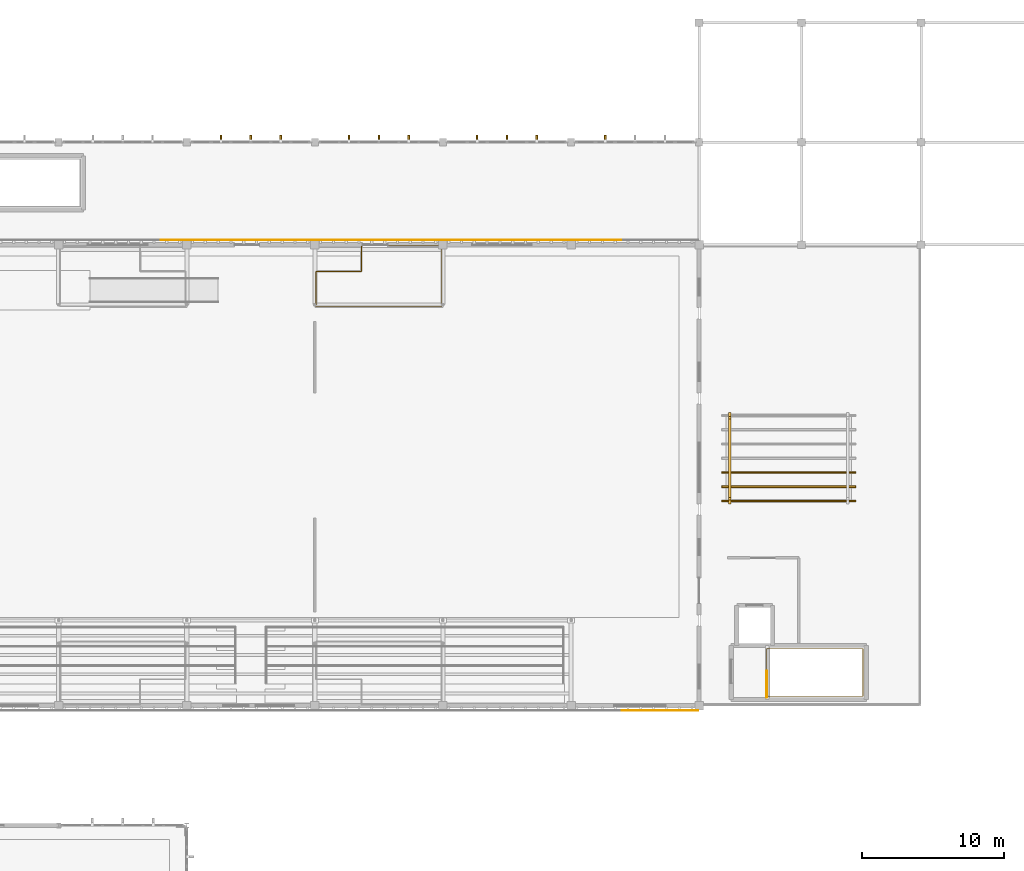
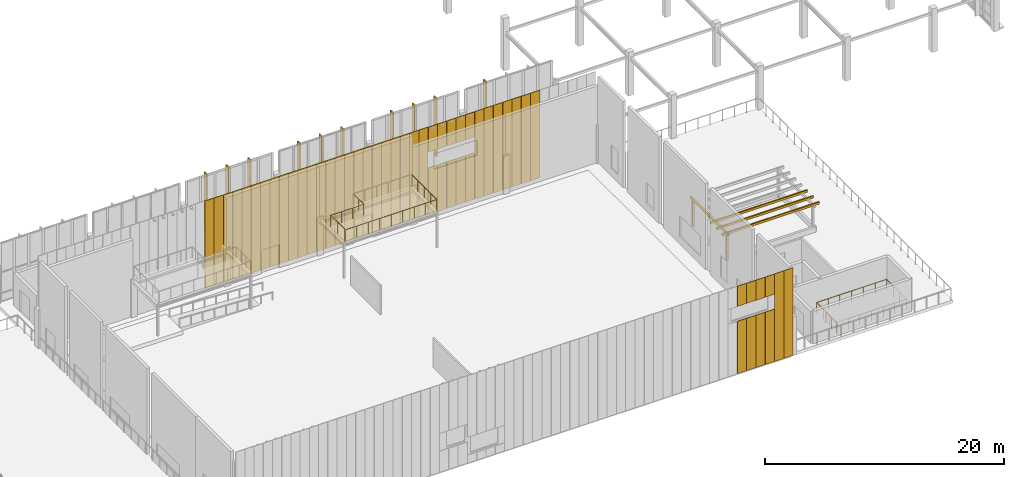
# One storey, part 65 of 67: 67 coverings, 3 railings.
"""IFC4 building model written with IfcOpenShell, lengths in metres."""

from ifc_helpers import new_model, si_unit, direction, frame, origin, origin_2d, place, context, subcontext, project, spatial, rectangle, circle, extrude, material, layer, layer_set, type_object, element, save


model = new_model("IFC4")

# Units and contexts
model_context = context("Model", 3, precision=1e-05, world=origin(), true_north=direction((0.0, 1.0)))
body_context = subcontext(model_context, "Body", "Model", "MODEL_VIEW")
ifc_project = project(units=[si_unit("LENGTHUNIT", "METRE"), si_unit("AREAUNIT", "SQUARE_METRE"), si_unit("VOLUMEUNIT", "CUBIC_METRE"), si_unit("PLANEANGLEUNIT", "RADIAN"), si_unit("MASSUNIT", "GRAM", prefix="KILO")], contexts=[model_context])

# Site, building, storey
site_placement = place(None, origin())
site = spatial("IfcSite", under=ifc_project, at=site_placement, CompositionType="ELEMENT")
building_placement = place(site_placement, origin())
building = spatial("IfcBuilding", under=site, at=building_placement, Name="Tizgana Railside Sports Hall", CompositionType="ELEMENT")
storey_placement = place(building_placement, frame((0.0, 0.0, 12.0)))
storey = spatial("IfcBuildingStorey", under=building, at=storey_placement, Name="L02", CompositionType="ELEMENT", Elevation=12.0)

# Coverings
ifc_material_1 = material(Name="Glulam GL28h", Category="wood")
ifc_layer_1 = layer(ifc_material_1, 0.139892578125, Name="Glulam GL28h")
ifc_layer_set_1 = layer_set([ifc_layer_1], Name="Glulam GL28h")
covering_type_1 = type_object("IfcCoveringType", Name="Mass-Timber Brise-Soleil & Pergola Fin", PredefinedType="CLADDING", material=ifc_layer_set_1)
for number, where, z_axis, x_axis, name in (
    (1, (135.949951171875, 55.35009765625, -0.02001953125), (0.0, 0.0, 1.0), (1.0, 0.0, 0.0), "L02 East Terrace Pergola Post"),
    (2, (135.949951171875, 61.050048828125, -0.02001953125), (0.0, 0.0, 1.0), (1.0, 0.0, 0.0), "L02 East Terrace Pergola Post"),
):
    element("IfcCovering", number, at=place(storey_placement, frame(where, z_axis=z_axis, x_axis=x_axis)), inside=storey, type_object=covering_type_1, Name=name, PredefinedType="CLADDING", context=body_context, shape_type="SweptSolid", body=[
        extrude(rectangle(XDim=0.179931640625, YDim=0.179931640625, at=origin_2d()), origin(), (0.0, 0.0, 1.0), 2.669921875),
    ])
covering_1_placement = place(storey_placement, frame((135.949951171875, 58.199951171875, 2.6298828125), z_axis=(0.0, 0.0, 1.0), x_axis=(1.0, 0.0, 0.0)))
element("IfcCovering", 3, at=covering_1_placement, inside=storey, type_object=covering_type_1, Name="L02 East Terrace Pergola Beam", PredefinedType="CLADDING", context=body_context, shape_type="SweptSolid", body=[
    extrude(rectangle(XDim=0.159912109375, YDim=6.39990234375, at=origin_2d()), origin(), (0.0, 0.0, 1.0), 0.219970703125),
])
for number, where, z_axis, x_axis, name in (
    (4, (140.10009765625, 55.199951171875, 2.72021484375), (0.0, 0.0, 1.0), (1.0, 0.0, 0.0), "L02 East Terrace Pergola Rafter"),
    (5, (140.10009765625, 56.199951171875, 2.72021484375), (0.0, 0.0, 1.0), (1.0, 0.0, 0.0), "L02 East Terrace Pergola Rafter"),
    (6, (140.10009765625, 57.199951171875, 2.72021484375), (0.0, 0.0, 1.0), (1.0, 0.0, 0.0), "L02 East Terrace Pergola Rafter"),
):
    element("IfcCovering", number, at=place(storey_placement, frame(where, z_axis=z_axis, x_axis=x_axis)), inside=storey, type_object=covering_type_1, Name=name, PredefinedType="CLADDING", context=body_context, shape_type="SweptSolid", body=[
        extrude(rectangle(XDim=9.39990234375, YDim=0.1201171875, at=origin_2d()), origin(), (0.0, 0.0, 1.0), 0.219970703125),
    ])
for number, where, z_axis, x_axis, name in (
    (7, (100.202392578125, 80.679931640625, 0.0400390625), (0.0, 0.0, 1.0), (1.0, 0.0, 0.0), "L02 Timber Brise-Soleil Fin"),
    (8, (102.300048828125, 80.679931640625, 0.0400390625), (0.0, 0.0, 1.0), (1.0, 0.0, 0.0), "L02 Timber Brise-Soleil Fin"),
    (9, (104.3974609375, 80.679931640625, 0.0400390625), (0.0, 0.0, 1.0), (1.0, 0.0, 0.0), "L02 Timber Brise-Soleil Fin"),
    (10, (109.202392578125, 80.679931640625, 0.0400390625), (0.0, 0.0, 1.0), (1.0, 0.0, 0.0), "L02 Timber Brise-Soleil Fin"),
    (11, (111.300048828125, 80.679931640625, 0.0400390625), (0.0, 0.0, 1.0), (1.0, 0.0, 0.0), "L02 Timber Brise-Soleil Fin"),
    (12, (113.3974609375, 80.679931640625, 0.0400390625), (0.0, 0.0, 1.0), (1.0, 0.0, 0.0), "L02 Timber Brise-Soleil Fin"),
    (13, (118.202392578125, 80.679931640625, 0.0400390625), (0.0, 0.0, 1.0), (1.0, 0.0, 0.0), "L02 Timber Brise-Soleil Fin"),
    (14, (120.300048828125, 80.679931640625, 0.0400390625), (0.0, 0.0, 1.0), (1.0, 0.0, 0.0), "L02 Timber Brise-Soleil Fin"),
    (15, (122.3974609375, 80.679931640625, 0.0400390625), (0.0, 0.0, 1.0), (1.0, 0.0, 0.0), "L02 Timber Brise-Soleil Fin"),
    (16, (127.202392578125, 80.679931640625, 0.0400390625), (0.0, 0.0, 1.0), (1.0, 0.0, 0.0), "L02 Timber Brise-Soleil Fin"),
):
    element("IfcCovering", number, at=place(storey_placement, frame(where, z_axis=z_axis, x_axis=x_axis)), inside=storey, type_object=covering_type_1, Name=name, PredefinedType="CLADDING", context=body_context, shape_type="SweptSolid", body=[
        extrude(rectangle(XDim=0.1201171875, YDim=0.43994140625, at=origin_2d()), origin(), (0.0, 0.0, 1.0), 5.97998046875),
    ])
ifc_material_2 = material(Name="Anodised perforated aluminium screen", Category="aluminium")
ifc_layer_2 = layer(ifc_material_2, 0.044921875, Name="Anodised perforated aluminium screen")
ifc_layer_set_2 = layer_set([ifc_layer_2], Name="Anodised perforated aluminium screen")
covering_type_2 = type_object("IfcCoveringType", Name="Perforated Aluminium Hall Screen 900", PredefinedType="CLADDING", material=ifc_layer_set_2)
for number, where, z_axis, x_axis, name in (
    (17, (96.40087890625, 73.534912109375, 0.02001953125), (0.0, 0.0, 1.0), (1.0, 0.0, 0.0), "L02 Perforated Screen SCR-0277"),
    (18, (97.30029296875, 73.534912109375, 0.02001953125), (0.0, 0.0, 1.0), (1.0, 0.0, 0.0), "L02 Perforated Screen SCR-0278"),
    (19, (98.20458984375, 73.534912109375, 0.02001953125), (0.0, 0.0, 1.0), (1.0, 0.0, 0.0), "L02 Perforated Screen SCR-0306"),
    (20, (99.104248046875, 73.534912109375, 0.02001953125), (0.0, 0.0, 1.0), (1.0, 0.0, 0.0), "L02 Perforated Screen SCR-0307"),
    (21, (100.003662109375, 73.534912109375, 0.02001953125), (0.0, 0.0, 1.0), (1.0, 0.0, 0.0), "L02 Perforated Screen SCR-0308"),
    (22, (100.9033203125, 73.534912109375, 0.02001953125), (0.0, 0.0, 1.0), (1.0, 0.0, 0.0), "L02 Perforated Screen SCR-0309"),
    (23, (101.802734375, 73.534912109375, 0.02001953125), (0.0, 0.0, 1.0), (1.0, 0.0, 0.0), "L02 Perforated Screen SCR-0310"),
    (24, (102.7021484375, 73.534912109375, 0.02001953125), (0.0, 0.0, 1.0), (1.0, 0.0, 0.0), "L02 Perforated Screen SCR-0311"),
    (25, (103.601806640625, 73.534912109375, 0.02001953125), (0.0, 0.0, 1.0), (1.0, 0.0, 0.0), "L02 Perforated Screen SCR-0312"),
    (26, (104.501220703125, 73.534912109375, 0.02001953125), (0.0, 0.0, 1.0), (1.0, 0.0, 0.0), "L02 Perforated Screen SCR-0313"),
    (27, (105.40087890625, 73.534912109375, 0.02001953125), (0.0, 0.0, 1.0), (1.0, 0.0, 0.0), "L02 Perforated Screen SCR-0314"),
    (28, (106.30029296875, 73.534912109375, 0.02001953125), (0.0, 0.0, 1.0), (1.0, 0.0, 0.0), "L02 Perforated Screen SCR-0315"),
    (29, (107.20458984375, 73.534912109375, 0.02001953125), (0.0, 0.0, 1.0), (1.0, 0.0, 0.0), "L02 Perforated Screen SCR-0336"),
    (30, (108.104248046875, 73.534912109375, 0.02001953125), (0.0, 0.0, 1.0), (1.0, 0.0, 0.0), "L02 Perforated Screen SCR-0337"),
    (31, (109.003662109375, 73.534912109375, 0.02001953125), (0.0, 0.0, 1.0), (1.0, 0.0, 0.0), "L02 Perforated Screen SCR-0338"),
    (32, (109.9033203125, 73.534912109375, 0.02001953125), (0.0, 0.0, 1.0), (1.0, 0.0, 0.0), "L02 Perforated Screen SCR-0339"),
    (33, (110.802734375, 73.534912109375, 0.02001953125), (0.0, 0.0, 1.0), (1.0, 0.0, 0.0), "L02 Perforated Screen SCR-0340"),
    (34, (111.7021484375, 73.534912109375, 0.02001953125), (0.0, 0.0, 1.0), (1.0, 0.0, 0.0), "L02 Perforated Screen SCR-0341"),
    (35, (112.601806640625, 73.534912109375, 0.02001953125), (0.0, 0.0, 1.0), (1.0, 0.0, 0.0), "L02 Perforated Screen SCR-0342"),
    (36, (113.501220703125, 73.534912109375, 0.02001953125), (0.0, 0.0, 1.0), (1.0, 0.0, 0.0), "L02 Perforated Screen SCR-0343"),
    (37, (114.40087890625, 73.534912109375, 0.02001953125), (0.0, 0.0, 1.0), (1.0, 0.0, 0.0), "L02 Perforated Screen SCR-0344"),
    (38, (115.30029296875, 73.534912109375, 0.02001953125), (0.0, 0.0, 1.0), (1.0, 0.0, 0.0), "L02 Perforated Screen SCR-0345"),
    (39, (116.20458984375, 73.534912109375, 0.02001953125), (0.0, 0.0, 1.0), (1.0, 0.0, 0.0), "L02 Perforated Screen SCR-0371"),
    (40, (117.104248046875, 73.534912109375, 0.02001953125), (0.0, 0.0, 1.0), (1.0, 0.0, 0.0), "L02 Perforated Screen SCR-0372"),
):
    element("IfcCovering", number, at=place(storey_placement, frame(where, z_axis=z_axis, x_axis=x_axis)), inside=storey, type_object=covering_type_2, Name=name, PredefinedType="CLADDING", context=body_context, shape_type="SweptSolid", body=[
        extrude(rectangle(XDim=0.881591796875, YDim=0.044921875, at=origin_2d()), origin(), (0.0, 0.0, 1.0), 8.9599609375),
    ])
covering_2_placement = place(storey_placement, frame((118.003662109375, 73.534912109375, 0.02978515625), z_axis=(0.0, 0.0, 1.0), x_axis=(1.0, 0.0, 0.0)))
element("IfcCovering", 41, at=covering_2_placement, inside=storey, type_object=covering_type_2, Name="L02 Perforated Spandrel SCR-0373", PredefinedType="CLADDING", context=body_context, shape_type="SweptSolid", body=[
    extrude(rectangle(XDim=0.881591796875, YDim=0.044921875, at=origin_2d()), origin(), (0.0, 0.0, 1.0), 4.760009765625),
])
covering_3_placement = place(storey_placement, frame((118.003662109375, 73.534912109375, 6.409912109375), z_axis=(0.0, 0.0, 1.0), x_axis=(1.0, 0.0, 0.0)))
element("IfcCovering", 42, at=covering_3_placement, inside=storey, type_object=covering_type_2, Name="L02 Perforated Header SCR-0374", PredefinedType="CLADDING", context=body_context, shape_type="SweptSolid", body=[
    extrude(rectangle(XDim=0.881591796875, YDim=0.044921875, at=origin_2d()), origin(), (0.0, 0.0, 1.0), 2.56005859375),
])
covering_4_placement = place(storey_placement, frame((118.9033203125, 73.534912109375, 0.02978515625), z_axis=(0.0, 0.0, 1.0), x_axis=(1.0, 0.0, 0.0)))
element("IfcCovering", 43, at=covering_4_placement, inside=storey, type_object=covering_type_2, Name="L02 Perforated Spandrel SCR-0375", PredefinedType="CLADDING", context=body_context, shape_type="SweptSolid", body=[
    extrude(rectangle(XDim=0.881591796875, YDim=0.044921875, at=origin_2d()), origin(), (0.0, 0.0, 1.0), 4.760009765625),
])
covering_5_placement = place(storey_placement, frame((118.9033203125, 73.534912109375, 6.409912109375), z_axis=(0.0, 0.0, 1.0), x_axis=(1.0, 0.0, 0.0)))
element("IfcCovering", 44, at=covering_5_placement, inside=storey, type_object=covering_type_2, Name="L02 Perforated Header SCR-0376", PredefinedType="CLADDING", context=body_context, shape_type="SweptSolid", body=[
    extrude(rectangle(XDim=0.881591796875, YDim=0.044921875, at=origin_2d()), origin(), (0.0, 0.0, 1.0), 2.56005859375),
])
covering_6_placement = place(storey_placement, frame((119.802734375, 73.534912109375, 0.02978515625), z_axis=(0.0, 0.0, 1.0), x_axis=(1.0, 0.0, 0.0)))
element("IfcCovering", 45, at=covering_6_placement, inside=storey, type_object=covering_type_2, Name="L02 Perforated Spandrel SCR-0377", PredefinedType="CLADDING", context=body_context, shape_type="SweptSolid", body=[
    extrude(rectangle(XDim=0.881591796875, YDim=0.044921875, at=origin_2d()), origin(), (0.0, 0.0, 1.0), 4.760009765625),
])
covering_7_placement = place(storey_placement, frame((119.802734375, 73.534912109375, 6.409912109375), z_axis=(0.0, 0.0, 1.0), x_axis=(1.0, 0.0, 0.0)))
element("IfcCovering", 46, at=covering_7_placement, inside=storey, type_object=covering_type_2, Name="L02 Perforated Header SCR-0378", PredefinedType="CLADDING", context=body_context, shape_type="SweptSolid", body=[
    extrude(rectangle(XDim=0.881591796875, YDim=0.044921875, at=origin_2d()), origin(), (0.0, 0.0, 1.0), 2.56005859375),
])
covering_8_placement = place(storey_placement, frame((120.7021484375, 73.534912109375, 0.02978515625), z_axis=(0.0, 0.0, 1.0), x_axis=(1.0, 0.0, 0.0)))
element("IfcCovering", 47, at=covering_8_placement, inside=storey, type_object=covering_type_2, Name="L02 Perforated Spandrel SCR-0379", PredefinedType="CLADDING", context=body_context, shape_type="SweptSolid", body=[
    extrude(rectangle(XDim=0.881591796875, YDim=0.044921875, at=origin_2d()), origin(), (0.0, 0.0, 1.0), 4.760009765625),
])
covering_9_placement = place(storey_placement, frame((120.7021484375, 73.534912109375, 6.409912109375), z_axis=(0.0, 0.0, 1.0), x_axis=(1.0, 0.0, 0.0)))
element("IfcCovering", 48, at=covering_9_placement, inside=storey, type_object=covering_type_2, Name="L02 Perforated Header SCR-0380", PredefinedType="CLADDING", context=body_context, shape_type="SweptSolid", body=[
    extrude(rectangle(XDim=0.881591796875, YDim=0.044921875, at=origin_2d()), origin(), (0.0, 0.0, 1.0), 2.56005859375),
])
covering_10_placement = place(storey_placement, frame((121.601806640625, 73.534912109375, 0.02978515625), z_axis=(0.0, 0.0, 1.0), x_axis=(1.0, 0.0, 0.0)))
element("IfcCovering", 49, at=covering_10_placement, inside=storey, type_object=covering_type_2, Name="L02 Perforated Spandrel SCR-0381", PredefinedType="CLADDING", context=body_context, shape_type="SweptSolid", body=[
    extrude(rectangle(XDim=0.881591796875, YDim=0.044921875, at=origin_2d()), origin(), (0.0, 0.0, 1.0), 4.760009765625),
])
covering_11_placement = place(storey_placement, frame((121.601806640625, 73.534912109375, 6.409912109375), z_axis=(0.0, 0.0, 1.0), x_axis=(1.0, 0.0, 0.0)))
element("IfcCovering", 50, at=covering_11_placement, inside=storey, type_object=covering_type_2, Name="L02 Perforated Header SCR-0382", PredefinedType="CLADDING", context=body_context, shape_type="SweptSolid", body=[
    extrude(rectangle(XDim=0.881591796875, YDim=0.044921875, at=origin_2d()), origin(), (0.0, 0.0, 1.0), 2.56005859375),
])
for number, where, z_axis, x_axis, name in (
    (51, (122.501220703125, 73.534912109375, 0.02001953125), (0.0, 0.0, 1.0), (1.0, 0.0, 0.0), "L02 Perforated Screen SCR-0383"),
    (52, (123.40087890625, 73.534912109375, 0.02001953125), (0.0, 0.0, 1.0), (1.0, 0.0, 0.0), "L02 Perforated Screen SCR-0384"),
    (53, (124.30029296875, 73.534912109375, 0.02001953125), (0.0, 0.0, 1.0), (1.0, 0.0, 0.0), "L02 Perforated Screen SCR-0385"),
    (54, (133.30029296875, 40.465087890625, 0.02001953125), (0.0, 0.0, 1.0), (-1.0, 0.0, 0.0), "L02 Perforated Screen SCR-0396"),
    (55, (132.400634765625, 40.465087890625, 0.02001953125), (0.0, 0.0, 1.0), (-1.0, 0.0, 0.0), "L02 Perforated Screen SCR-0397"),
):
    element("IfcCovering", number, at=place(storey_placement, frame(where, z_axis=z_axis, x_axis=x_axis)), inside=storey, type_object=covering_type_2, Name=name, PredefinedType="CLADDING", context=body_context, shape_type="SweptSolid", body=[
        extrude(rectangle(XDim=0.881591796875, YDim=0.044921875, at=origin_2d()), origin(), (0.0, 0.0, 1.0), 8.9599609375),
    ])
covering_12_placement = place(storey_placement, frame((131.501220703125, 40.465087890625, 0.02978515625), z_axis=(0.0, 0.0, 1.0), x_axis=(-1.0, 0.0, 0.0)))
element("IfcCovering", 56, at=covering_12_placement, inside=storey, type_object=covering_type_2, Name="L02 Perforated Spandrel SCR-0398", PredefinedType="CLADDING", context=body_context, shape_type="SweptSolid", body=[
    extrude(rectangle(XDim=0.881591796875, YDim=0.044921875, at=origin_2d()), origin(), (0.0, 0.0, 1.0), 5.360107421875),
])
covering_13_placement = place(storey_placement, frame((131.501220703125, 40.465087890625, 6.909912109375), z_axis=(0.0, 0.0, 1.0), x_axis=(-1.0, 0.0, 0.0)))
element("IfcCovering", 57, at=covering_13_placement, inside=storey, type_object=covering_type_2, Name="L02 Perforated Header SCR-0399", PredefinedType="CLADDING", context=body_context, shape_type="SweptSolid", body=[
    extrude(rectangle(XDim=0.881591796875, YDim=0.044921875, at=origin_2d()), origin(), (0.0, 0.0, 1.0), 2.06005859375),
])
covering_14_placement = place(storey_placement, frame((130.601806640625, 40.465087890625, 0.02978515625), z_axis=(0.0, 0.0, 1.0), x_axis=(-1.0, 0.0, 0.0)))
element("IfcCovering", 58, at=covering_14_placement, inside=storey, type_object=covering_type_2, Name="L02 Perforated Spandrel SCR-0400", PredefinedType="CLADDING", context=body_context, shape_type="SweptSolid", body=[
    extrude(rectangle(XDim=0.881591796875, YDim=0.044921875, at=origin_2d()), origin(), (0.0, 0.0, 1.0), 5.360107421875),
])
covering_15_placement = place(storey_placement, frame((130.601806640625, 40.465087890625, 6.909912109375), z_axis=(0.0, 0.0, 1.0), x_axis=(-1.0, 0.0, 0.0)))
element("IfcCovering", 59, at=covering_15_placement, inside=storey, type_object=covering_type_2, Name="L02 Perforated Header SCR-0401", PredefinedType="CLADDING", context=body_context, shape_type="SweptSolid", body=[
    extrude(rectangle(XDim=0.881591796875, YDim=0.044921875, at=origin_2d()), origin(), (0.0, 0.0, 1.0), 2.06005859375),
])
covering_16_placement = place(storey_placement, frame((129.7021484375, 40.465087890625, 0.02978515625), z_axis=(0.0, 0.0, 1.0), x_axis=(-1.0, 0.0, 0.0)))
element("IfcCovering", 60, at=covering_16_placement, inside=storey, type_object=covering_type_2, Name="L02 Perforated Spandrel SCR-0402", PredefinedType="CLADDING", context=body_context, shape_type="SweptSolid", body=[
    extrude(rectangle(XDim=0.881591796875, YDim=0.044921875, at=origin_2d()), origin(), (0.0, 0.0, 1.0), 5.360107421875),
])
covering_17_placement = place(storey_placement, frame((129.7021484375, 40.465087890625, 6.909912109375), z_axis=(0.0, 0.0, 1.0), x_axis=(-1.0, 0.0, 0.0)))
element("IfcCovering", 61, at=covering_17_placement, inside=storey, type_object=covering_type_2, Name="L02 Perforated Header SCR-0403", PredefinedType="CLADDING", context=body_context, shape_type="SweptSolid", body=[
    extrude(rectangle(XDim=0.881591796875, YDim=0.044921875, at=origin_2d()), origin(), (0.0, 0.0, 1.0), 2.06005859375),
])
covering_18_placement = place(storey_placement, frame((128.802734375, 40.465087890625, 0.02978515625), z_axis=(0.0, 0.0, 1.0), x_axis=(-1.0, 0.0, 0.0)))
element("IfcCovering", 62, at=covering_18_placement, inside=storey, type_object=covering_type_2, Name="L02 Perforated Spandrel SCR-0404", PredefinedType="CLADDING", context=body_context, shape_type="SweptSolid", body=[
    extrude(rectangle(XDim=0.881591796875, YDim=0.044921875, at=origin_2d()), origin(), (0.0, 0.0, 1.0), 5.360107421875),
])
covering_19_placement = place(storey_placement, frame((128.802734375, 40.465087890625, 6.909912109375), z_axis=(0.0, 0.0, 1.0), x_axis=(-1.0, 0.0, 0.0)))
element("IfcCovering", 63, at=covering_19_placement, inside=storey, type_object=covering_type_2, Name="L02 Perforated Header SCR-0405", PredefinedType="CLADDING", context=body_context, shape_type="SweptSolid", body=[
    extrude(rectangle(XDim=0.881591796875, YDim=0.044921875, at=origin_2d()), origin(), (0.0, 0.0, 1.0), 2.06005859375),
])
for number, where, z_axis, x_axis, name in (
    (64, (125.20458984375, 73.534912109375, 0.02001953125), (0.0, 0.0, 1.0), (1.0, 0.0, 0.0), "L02 Perforated Screen SCR-0411"),
    (65, (126.104248046875, 73.534912109375, 0.02001953125), (0.0, 0.0, 1.0), (1.0, 0.0, 0.0), "L02 Perforated Screen SCR-0412"),
    (66, (127.003662109375, 73.534912109375, 0.02001953125), (0.0, 0.0, 1.0), (1.0, 0.0, 0.0), "L02 Perforated Screen SCR-0413"),
    (67, (127.9033203125, 73.534912109375, 0.02001953125), (0.0, 0.0, 1.0), (1.0, 0.0, 0.0), "L02 Perforated Screen SCR-0414"),
):
    element("IfcCovering", number, at=place(storey_placement, frame(where, z_axis=z_axis, x_axis=x_axis)), inside=storey, type_object=covering_type_2, Name=name, PredefinedType="CLADDING", context=body_context, shape_type="SweptSolid", body=[
        extrude(rectangle(XDim=0.881591796875, YDim=0.044921875, at=origin_2d()), origin(), (0.0, 0.0, 1.0), 8.9599609375),
    ])

# Railings
ifc_material_3 = material(Name="Galvanised steel sheet", Category="steel")
railing_type_1 = type_object("IfcRailingType", Name="Safety Balustrade Guard 1100", PredefinedType="BALUSTRADE", material=ifc_material_3)
railing_1_placement = place(storey_placement, frame((138.550048828125, 41.39990234375, 0.0)))
element("IfcRailing", 68, at=railing_1_placement, inside=storey, type_object=railing_type_1, Name="L02 ST-05 top well guard 1", PredefinedType="BALUSTRADE", context=body_context, shape_type="SweptSolid", body=[
    extrude(circle(Radius=0.02392578125, at=origin_2d()), frame((0.0, 0.0, 1.076171875), z_axis=(0.0, 1.0, 0.0), x_axis=(-1.0, 0.0, 0.0)), (0.0, 0.0, 1.0), 1.85009765625),
    extrude(circle(Radius=0.02099609375, at=origin_2d()), origin(), (0.0, 0.0, 1.0), 1.052001953125),
    extrude(circle(Radius=0.02099609375, at=origin_2d()), frame((0.0, 0.925048828125, 0.0)), (0.0, 0.0, 1.0), 1.052001953125),
    extrude(circle(Radius=0.02099609375, at=origin_2d()), frame((0.0, 1.85009765625, 0.0)), (0.0, 0.0, 1.0), 1.052001953125),
])
railing_2_placement = place(storey_placement, frame((138.550048828125, 41.47998046875, 0.0)))
element("IfcRailing", 69, at=railing_2_placement, inside=storey, type_object=railing_type_1, Name="L02 ST-05 Well Guard", PredefinedType="BALUSTRADE", context=body_context, shape_type="SweptSolid", body=[
    extrude(circle(Radius=0.02392578125, at=origin_2d()), frame((0.0, 0.0, 1.09619140625), z_axis=(1.0, 0.0, 0.0), x_axis=(0.0, 1.0, 0.0)), (0.0, 0.0, 1.0), 6.77001953125),
    extrude(circle(Radius=0.02392578125, at=origin_2d()), frame((6.77001953125, 0.0, 1.09619140625), z_axis=(0.0, 1.0, 0.0), x_axis=(-1.0, 0.0, 0.0)), (0.0, 0.0, 1.0), 3.340087890625),
    extrude(circle(Radius=0.02392578125, at=origin_2d()), frame((6.77001953125, 3.340087890625, 1.09619140625), z_axis=(-1.0, 0.0, 0.0), x_axis=(0.0, -1.0, 0.0)), (0.0, 0.0, 1.0), 6.77001953125),
    extrude(circle(Radius=0.02392578125, at=origin_2d()), frame((0.0, 3.340087890625, 1.09619140625), z_axis=(0.0, -1.0, 0.0), x_axis=(1.0, 0.0, 0.0)), (0.0, 0.0, 1.0), 3.280029296875),
    extrude(circle(Radius=0.02099609375, at=origin_2d()), origin(), (0.0, 0.0, 1.0), 1.072021484375),
    extrude(circle(Radius=0.02099609375, at=origin_2d()), frame((1.12841796875, 0.0, 0.0)), (0.0, 0.0, 1.0), 1.072021484375),
    extrude(circle(Radius=0.02099609375, at=origin_2d()), frame((2.256591796875, 0.0, 0.0)), (0.0, 0.0, 1.0), 1.072021484375),
    extrude(circle(Radius=0.02099609375, at=origin_2d()), frame((3.385009765625, 0.0, 0.0)), (0.0, 0.0, 1.0), 1.072021484375),
    extrude(circle(Radius=0.02099609375, at=origin_2d()), frame((4.513427734375, 0.0, 0.0)), (0.0, 0.0, 1.0), 1.072021484375),
    extrude(circle(Radius=0.02099609375, at=origin_2d()), frame((5.6416015625, 0.0, 0.0)), (0.0, 0.0, 1.0), 1.072021484375),
    extrude(circle(Radius=0.02099609375, at=origin_2d()), frame((6.77001953125, 0.0, 0.0)), (0.0, 0.0, 1.0), 1.072021484375),
    extrude(circle(Radius=0.02099609375, at=origin_2d()), frame((6.77001953125, 1.11328125, 0.0)), (0.0, 0.0, 1.0), 1.072021484375),
    extrude(circle(Radius=0.02099609375, at=origin_2d()), frame((6.77001953125, 2.226806640625, 0.0)), (0.0, 0.0, 1.0), 1.072021484375),
    extrude(circle(Radius=0.02099609375, at=origin_2d()), frame((6.77001953125, 3.340087890625, 0.0)), (0.0, 0.0, 1.0), 1.072021484375),
    extrude(circle(Radius=0.02099609375, at=origin_2d()), frame((5.6416015625, 3.340087890625, 0.0)), (0.0, 0.0, 1.0), 1.072021484375),
    extrude(circle(Radius=0.02099609375, at=origin_2d()), frame((4.513427734375, 3.340087890625, 0.0)), (0.0, 0.0, 1.0), 1.072021484375),
    extrude(circle(Radius=0.02099609375, at=origin_2d()), frame((3.385009765625, 3.340087890625, 0.0)), (0.0, 0.0, 1.0), 1.072021484375),
    extrude(circle(Radius=0.02099609375, at=origin_2d()), frame((2.256591796875, 3.340087890625, 0.0)), (0.0, 0.0, 1.0), 1.072021484375),
    extrude(circle(Radius=0.02099609375, at=origin_2d()), frame((1.12841796875, 3.340087890625, 0.0)), (0.0, 0.0, 1.0), 1.072021484375),
    extrude(circle(Radius=0.02099609375, at=origin_2d()), frame((0.0, 3.340087890625, 0.0)), (0.0, 0.0, 1.0), 1.072021484375),
    extrude(circle(Radius=0.02099609375, at=origin_2d()), frame((0.0, 2.246826171875, 0.0)), (0.0, 0.0, 1.0), 1.072021484375),
    extrude(circle(Radius=0.02099609375, at=origin_2d()), frame((0.0, 1.1533203125, 0.0)), (0.0, 0.0, 1.0), 1.072021484375),
    extrude(circle(Radius=0.02099609375, at=origin_2d()), frame((0.0, 0.06005859375, 0.0)), (0.0, 0.0, 1.0), 1.072021484375),
])
ifc_material_4 = material(Name="Anodised aluminium", Category="aluminium")
railing_type_2 = type_object("IfcRailingType", Name="Terrace & Track Guard 1150", PredefinedType="BALUSTRADE", material=ifc_material_4)
railing_3_placement = place(storey_placement, frame((106.8798828125, 68.8798828125, 3.89990234375)))
element("IfcRailing", 70, at=railing_3_placement, inside=storey, type_object=railing_type_2, Name="L02 V2 Court3 Catwalk NE Guard", PredefinedType="BALUSTRADE", context=body_context, shape_type="SweptSolid", body=[
    extrude(circle(Radius=0.02392578125, at=origin_2d()), frame((0.0, 0.0, 1.1259765625), z_axis=(1.0, 0.0, 0.0), x_axis=(0.0, 1.0, 0.0)), (0.0, 0.0, 1.0), 8.840087890625),
    extrude(circle(Radius=0.02392578125, at=origin_2d()), frame((8.840087890625, 0.0, 1.1259765625), z_axis=(0.0, 1.0, 0.0), x_axis=(-1.0, 0.0, 0.0)), (0.0, 0.0, 1.0), 4.240234375),
    extrude(circle(Radius=0.02392578125, at=origin_2d()), frame((8.840087890625, 4.240234375, 1.1259765625), z_axis=(-1.0, 0.0, 0.0), x_axis=(0.0, -1.0, 0.0)), (0.0, 0.0, 1.0), 5.639892578125),
    extrude(circle(Radius=0.02392578125, at=origin_2d()), frame((3.2001953125, 4.240234375, 1.1259765625), z_axis=(0.0, -1.0, 0.0), x_axis=(1.0, 0.0, 0.0)), (0.0, 0.0, 1.0), 1.800048828125),
    extrude(circle(Radius=0.02392578125, at=origin_2d()), frame((3.2001953125, 2.440185546875, 1.1259765625), z_axis=(-1.0, 0.0, 0.0), x_axis=(0.0, -1.0, 0.0)), (0.0, 0.0, 1.0), 3.2001953125),
    extrude(circle(Radius=0.02392578125, at=origin_2d()), frame((0.0, 2.440185546875, 1.1259765625), z_axis=(0.0, -1.0, 0.0), x_axis=(1.0, 0.0, 0.0)), (0.0, 0.0, 1.0), 2.360107421875),
    extrude(circle(Radius=0.02099609375, at=origin_2d()), origin(), (0.0, 0.0, 1.0), 1.101806640625),
    extrude(circle(Radius=0.02099609375, at=origin_2d()), frame((1.10498046875, 0.0, 0.0)), (0.0, 0.0, 1.0), 1.101806640625),
    extrude(circle(Radius=0.02099609375, at=origin_2d()), frame((2.2099609375, 0.0, 0.0)), (0.0, 0.0, 1.0), 1.101806640625),
    extrude(circle(Radius=0.02099609375, at=origin_2d()), frame((3.31494140625, 0.0, 0.0)), (0.0, 0.0, 1.0), 1.101806640625),
    extrude(circle(Radius=0.02099609375, at=origin_2d()), frame((4.419921875, 0.0, 0.0)), (0.0, 0.0, 1.0), 1.101806640625),
    extrude(circle(Radius=0.02099609375, at=origin_2d()), frame((5.525146484375, 0.0, 0.0)), (0.0, 0.0, 1.0), 1.101806640625),
    extrude(circle(Radius=0.02099609375, at=origin_2d()), frame((6.630126953125, 0.0, 0.0)), (0.0, 0.0, 1.0), 1.101806640625),
    extrude(circle(Radius=0.02099609375, at=origin_2d()), frame((7.735107421875, 0.0, 0.0)), (0.0, 0.0, 1.0), 1.101806640625),
    extrude(circle(Radius=0.02099609375, at=origin_2d()), frame((8.840087890625, 0.0, 0.0)), (0.0, 0.0, 1.0), 1.101806640625),
    extrude(circle(Radius=0.02099609375, at=origin_2d()), frame((8.840087890625, 1.06005859375, 0.0)), (0.0, 0.0, 1.0), 1.101806640625),
    extrude(circle(Radius=0.02099609375, at=origin_2d()), frame((8.840087890625, 2.1201171875, 0.0)), (0.0, 0.0, 1.0), 1.101806640625),
    extrude(circle(Radius=0.02099609375, at=origin_2d()), frame((8.840087890625, 3.18017578125, 0.0)), (0.0, 0.0, 1.0), 1.101806640625),
    extrude(circle(Radius=0.02099609375, at=origin_2d()), frame((8.840087890625, 4.240234375, 0.0)), (0.0, 0.0, 1.0), 1.101806640625),
    extrude(circle(Radius=0.02099609375, at=origin_2d()), frame((7.712158203125, 4.240234375, 0.0)), (0.0, 0.0, 1.0), 1.101806640625),
    extrude(circle(Radius=0.02099609375, at=origin_2d()), frame((6.584228515625, 4.240234375, 0.0)), (0.0, 0.0, 1.0), 1.101806640625),
    extrude(circle(Radius=0.02099609375, at=origin_2d()), frame((5.4560546875, 4.240234375, 0.0)), (0.0, 0.0, 1.0), 1.101806640625),
    extrude(circle(Radius=0.02099609375, at=origin_2d()), frame((4.328125, 4.240234375, 0.0)), (0.0, 0.0, 1.0), 1.101806640625),
    extrude(circle(Radius=0.02099609375, at=origin_2d()), frame((3.2001953125, 4.240234375, 0.0)), (0.0, 0.0, 1.0), 1.101806640625),
    extrude(circle(Radius=0.02099609375, at=origin_2d()), frame((3.2001953125, 3.34033203125, 0.0)), (0.0, 0.0, 1.0), 1.101806640625),
    extrude(circle(Radius=0.02099609375, at=origin_2d()), frame((3.2001953125, 2.440185546875, 0.0)), (0.0, 0.0, 1.0), 1.101806640625),
    extrude(circle(Radius=0.02099609375, at=origin_2d()), frame((2.133544921875, 2.440185546875, 0.0)), (0.0, 0.0, 1.0), 1.101806640625),
    extrude(circle(Radius=0.02099609375, at=origin_2d()), frame((1.066650390625, 2.440185546875, 0.0)), (0.0, 0.0, 1.0), 1.101806640625),
    extrude(circle(Radius=0.02099609375, at=origin_2d()), frame((0.0, 2.440185546875, 0.0)), (0.0, 0.0, 1.0), 1.101806640625),
    extrude(circle(Radius=0.02099609375, at=origin_2d()), frame((0.0, 1.26025390625, 0.0)), (0.0, 0.0, 1.0), 1.101806640625),
    extrude(circle(Radius=0.02099609375, at=origin_2d()), frame((0.0, 0.080078125, 0.0)), (0.0, 0.0, 1.0), 1.101806640625),
])

save(model, "model.ifc")
